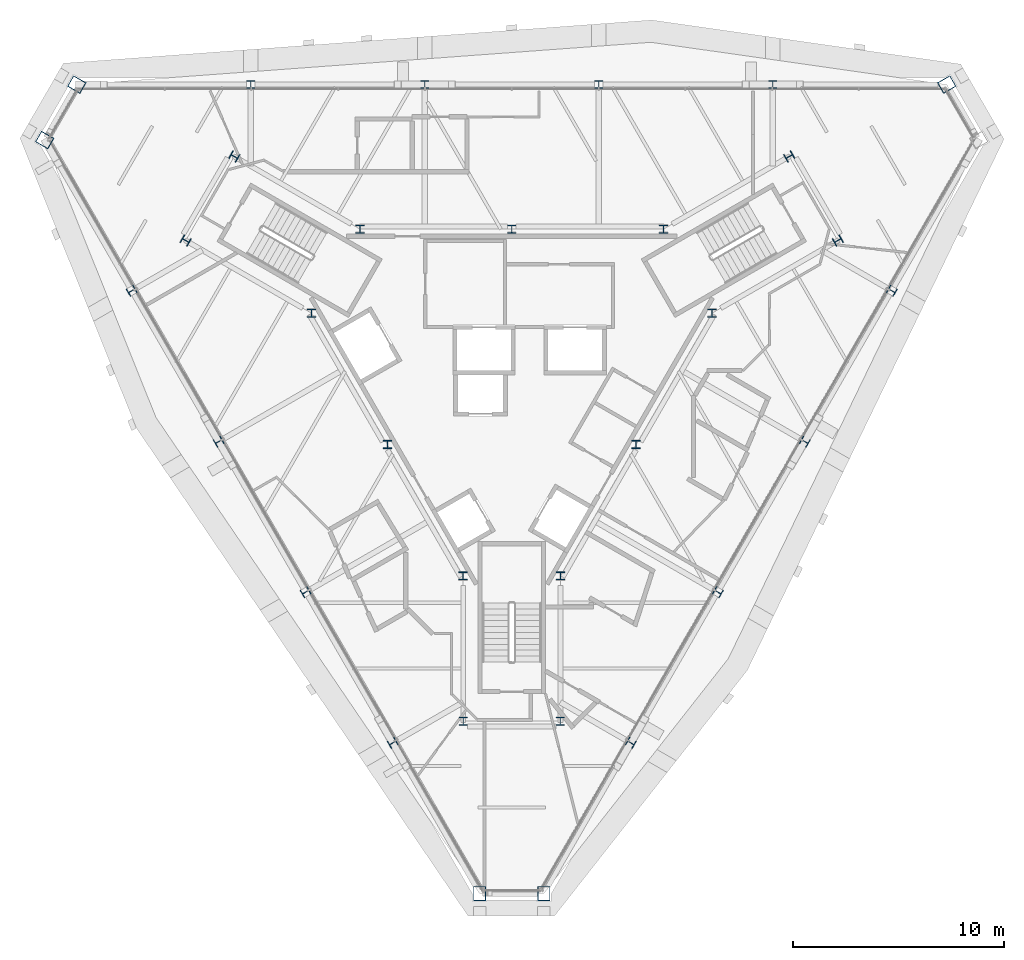
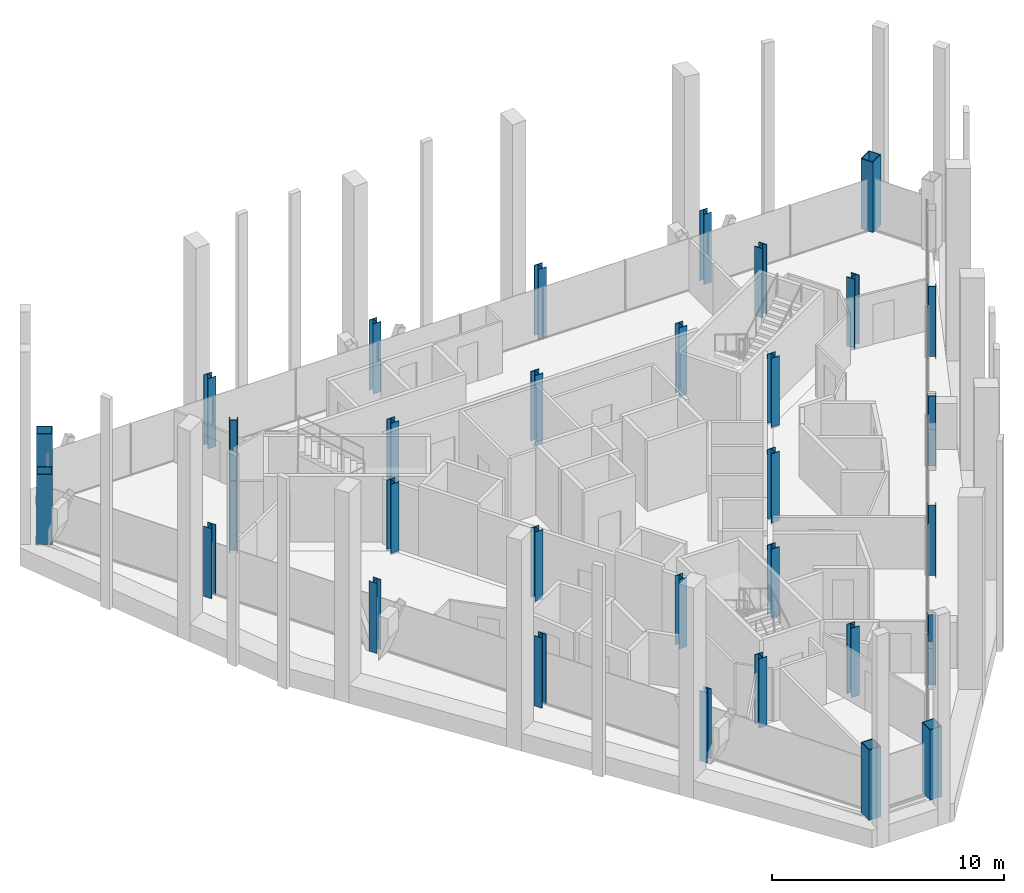
# One storey, part 1 of 12: 32 columns.
"""IFC4 building model written with IfcOpenShell, lengths in metres."""

from ifc_helpers import new_model, si_unit, direction, frame, origin, origin_2d, place, context, subcontext, project, spatial, hollow_rectangle, i_section, extrude, material, material_profile, profile_set, type_object, element, save


model = new_model("IFC4")

# Units and contexts
model_context = context("Model", 3, precision=1e-05, world=origin(), true_north=direction((0.0, 1.0)))
body_context = subcontext(model_context, "Body", "Model", "MODEL_VIEW")
ifc_project = project(units=[si_unit("LENGTHUNIT", "METRE"), si_unit("AREAUNIT", "SQUARE_METRE"), si_unit("VOLUMEUNIT", "CUBIC_METRE"), si_unit("PLANEANGLEUNIT", "RADIAN"), si_unit("MASSUNIT", "GRAM", prefix="KILO")], contexts=[model_context])

# Site, building, storey
site_placement = place(None, origin())
site = spatial("IfcSite", under=ifc_project, at=site_placement, CompositionType="ELEMENT")
building_placement = place(site_placement, origin())
building = spatial("IfcBuilding", under=site, at=building_placement, Name="Verrane Prism Tower", CompositionType="ELEMENT")
storey_placement = place(building_placement, frame((0.0, 0.0, 264.0)))
storey = spatial("IfcBuildingStorey", under=building, at=storey_placement, Name="L66", CompositionType="ELEMENT", Elevation=264.0)

# Columns
ifc_material_1 = material(Name="Steel A992", Category="steel")
ifc_material_profile_1 = material_profile(ifc_material_1, i_section(OverallWidth=0.4013671875, OverallDepth=0.398681640625, WebThickness=0.02490234375, FlangeThickness=0.03955078125, FilletRadius=0.01513671875, at=origin_2d()), Name="W14x211")
ifc_profile_set_1 = profile_set([ifc_material_profile_1], Name="Steel A992")
column_type_1 = type_object("IfcColumnType", Name="Core corner column W14x211", PredefinedType="COLUMN", material=ifc_profile_set_1)
for number, where, z_axis, x_axis, name in (
    (1, (15.43994140625, 6.260009765625, 0.050048828125), (0.0, 0.0, 1.0), (0.5, -0.866025403784, 0.0), "Core corner column CK-NEm L66"),
    (2, (13.139892578125, 10.239990234375, 0.050048828125), (0.0, 0.0, 1.0), (0.5, -0.866025403784, 0.0), "Core corner column CK-NEp L66"),
    (3, (-13.139892578125, 10.239990234375, 0.050048828125), (0.0, 0.0, 1.0), (0.5, 0.866025403784, 0.0), "Core corner column CK-NWm L66"),
    (4, (-15.43994140625, 6.260009765625, 0.050048828125), (0.0, 0.0, 1.0), (0.5, 0.866025403784, 0.0), "Core corner column CK-NWp L66"),
    (5, (-2.300048828125, -16.5, 0.050048828125), (0.0, 0.0, 1.0), (-1.0, 0.0, 0.0), "Core corner column CK-Sm L66"),
    (6, (2.300048828125, -16.5, 0.050048828125), (0.0, 0.0, 1.0), (-1.0, 0.0, 0.0), "Core corner column CK-Sp L66"),
):
    element("IfcColumn", number, at=place(storey_placement, frame(where, z_axis=z_axis, x_axis=x_axis)), inside=storey, type_object=column_type_1, Name=name, PredefinedType="COLUMN", context=body_context, shape_type="SweptSolid", body=[
        extrude(i_section(OverallWidth=0.4013671875, OverallDepth=0.398681640625, WebThickness=0.02490234375, FlangeThickness=0.03955078125, FilletRadius=0.01513671875, at=origin_2d()), origin(), (0.0, 0.0, 1.0), 3.64990234375),
    ])
ifc_material_2 = material(Name="Steel A992", Category="steel")
ifc_material_profile_2 = material_profile(ifc_material_2, i_section(OverallWidth=0.398681640625, OverallDepth=0.385986328125, WebThickness=0.02099609375, FlangeThickness=0.033203125, FilletRadius=0.01513671875, at=origin_2d()), Name="W14x176")
ifc_profile_set_2 = profile_set([ifc_material_profile_2], Name="Steel A992")
column_type_2 = type_object("IfcColumnType", Name="Core side column W14x176", PredefinedType="COLUMN", material=ifc_profile_set_2)
for number, where, z_axis, x_axis, name in (
    (7, (9.47998046875, 2.820068359375, 0.06494140625), (0.0, 0.0, 1.0), (1.0, 0.0, 0.0), "Core side column CC-NEm L66"),
    (8, (7.179931640625, 6.800048828125, 0.06494140625), (0.0, 0.0, 1.0), (1.0, 0.0, 0.0), "Core side column CC-NEp L66"),
):
    element("IfcColumn", number, at=place(storey_placement, frame(where, z_axis=z_axis, x_axis=x_axis)), inside=storey, type_object=column_type_2, Name=name, PredefinedType="COLUMN", context=body_context, shape_type="SweptSolid", body=[
        extrude(i_section(OverallWidth=0.398681640625, OverallDepth=0.385986328125, WebThickness=0.02099609375, FlangeThickness=0.033203125, FilletRadius=0.01513671875, at=origin_2d()), origin(), (0.0, 0.0, 1.0), 3.635009765625),
    ])
column_1_placement = place(storey_placement, frame((0.0, 6.800048828125, 0.030029296875), z_axis=(0.0, 0.0, 1.0), x_axis=(1.0, 0.0, 0.0)))
element("IfcColumn", 9, at=column_1_placement, inside=storey, type_object=column_type_2, Name="Core side column CC-N0 L66", PredefinedType="COLUMN", context=body_context, shape_type="SweptSolid", body=[
    extrude(i_section(OverallWidth=0.398681640625, OverallDepth=0.385986328125, WebThickness=0.02099609375, FlangeThickness=0.033203125, FilletRadius=0.01513671875, at=origin_2d()), origin(), (0.0, 0.0, 1.0), 3.669921875),
])
for number, where, z_axis, x_axis, name in (
    (10, (-7.179931640625, 6.800048828125, 0.06494140625), (0.0, 0.0, 1.0), (1.0, 0.0, 0.0), "Core side column CC-NWm L66"),
    (11, (-9.47998046875, 2.820068359375, 0.06494140625), (0.0, 0.0, 1.0), (1.0, 0.0, 0.0), "Core side column CC-NWp L66"),
):
    element("IfcColumn", number, at=place(storey_placement, frame(where, z_axis=z_axis, x_axis=x_axis)), inside=storey, type_object=column_type_2, Name=name, PredefinedType="COLUMN", context=body_context, shape_type="SweptSolid", body=[
        extrude(i_section(OverallWidth=0.398681640625, OverallDepth=0.385986328125, WebThickness=0.02099609375, FlangeThickness=0.033203125, FilletRadius=0.01513671875, at=origin_2d()), origin(), (0.0, 0.0, 1.0), 3.635009765625),
    ])
column_2_placement = place(storey_placement, frame((-5.889892578125, -3.39990234375, 0.0400390625), z_axis=(0.0, 0.0, 1.0), x_axis=(1.0, 0.0, 0.0)))
element("IfcColumn", 12, at=column_2_placement, inside=storey, type_object=column_type_2, Name="Core side column CC-SW0 L66", PredefinedType="COLUMN", context=body_context, shape_type="SweptSolid", body=[
    extrude(i_section(OverallWidth=0.398681640625, OverallDepth=0.385986328125, WebThickness=0.02099609375, FlangeThickness=0.033203125, FilletRadius=0.01513671875, at=origin_2d()), origin(), (0.0, 0.0, 1.0), 3.659912109375),
])
for number, where, z_axis, x_axis, name in (
    (13, (-2.300048828125, -9.6201171875, 0.050048828125), (0.0, 0.0, 1.0), (1.0, 0.0, 0.0), "Core side column CC-Sm L66"),
    (14, (2.300048828125, -9.6201171875, 0.050048828125), (0.0, 0.0, 1.0), (1.0, 0.0, 0.0), "Core side column CC-Sp L66"),
):
    element("IfcColumn", number, at=place(storey_placement, frame(where, z_axis=z_axis, x_axis=x_axis)), inside=storey, type_object=column_type_2, Name=name, PredefinedType="COLUMN", context=body_context, shape_type="SweptSolid", body=[
        extrude(i_section(OverallWidth=0.398681640625, OverallDepth=0.385986328125, WebThickness=0.02099609375, FlangeThickness=0.033203125, FilletRadius=0.01513671875, at=origin_2d()), origin(), (0.0, 0.0, 1.0), 3.64990234375),
    ])
column_3_placement = place(storey_placement, frame((5.889892578125, -3.39990234375, 0.0400390625), z_axis=(0.0, 0.0, 1.0), x_axis=(1.0, 0.0, 0.0)))
element("IfcColumn", 15, at=column_3_placement, inside=storey, type_object=column_type_2, Name="Core side column CC-SE0 L66", PredefinedType="COLUMN", context=body_context, shape_type="SweptSolid", body=[
    extrude(i_section(OverallWidth=0.398681640625, OverallDepth=0.385986328125, WebThickness=0.02099609375, FlangeThickness=0.033203125, FilletRadius=0.01513671875, at=origin_2d()), origin(), (0.0, 0.0, 1.0), 3.659912109375),
])
ifc_material_3 = material(Name="Steel A572 Grade 50", Category="steel")
ifc_material_profile_3 = material_profile(ifc_material_3, hollow_rectangle(XDim=0.60009765625, YDim=0.699951171875, WallThickness=0.0400390625, at=origin_2d()), Name="BOX 700x600x40")
ifc_profile_set_3 = profile_set([ifc_material_profile_3], Name="Steel A572 Grade 50")
column_type_3 = type_object("IfcColumnType", Name="Megacolumn BOX 700x600x40", PredefinedType="COLUMN", material=ifc_profile_set_3)
for number, where, z_axis, x_axis, name in (
    (16, (20.60009765625, 13.64990234375, 0.0), (0.0, 0.0, 1.0), (0.5, -0.866025403784, 0.0), "Megacolumn MC-NE.b L66"),
    (17, (-20.60009765625, 13.64990234375, 0.0), (0.0, 0.0, 1.0), (0.5, 0.866025403784, 0.0), "Megacolumn MC-NW.a L66"),
    (18, (-22.1201171875, 11.02001953125, 0.0), (0.0, 0.0, 1.0), (0.5, 0.866025403784, 0.0), "Megacolumn MC-NW.b L66"),
    (19, (-1.52001953125, -24.669921875, 0.0), (0.0, 0.0, 1.0), (-1.0, 0.0, 0.0), "Megacolumn MC-S.a L66"),
    (20, (1.52001953125, -24.669921875, 0.0), (0.0, 0.0, 1.0), (-1.0, 0.0, 0.0), "Megacolumn MC-S.b L66"),
):
    element("IfcColumn", number, at=place(storey_placement, frame(where, z_axis=z_axis, x_axis=x_axis)), inside=storey, type_object=column_type_3, Name=name, PredefinedType="COLUMN", context=body_context, shape_type="SweptSolid", body=[
        extrude(hollow_rectangle(XDim=0.60009765625, YDim=0.699951171875, WallThickness=0.0400390625, at=origin_2d()), origin(), (0.0, 0.0, 1.0), 3.699951171875),
    ])
ifc_material_4 = material(Name="Steel A992", Category="steel")
ifc_material_profile_4 = material_profile(ifc_material_4, i_section(OverallWidth=0.393798828125, OverallDepth=0.3759765625, WebThickness=0.017333984375, FlangeThickness=0.027587890625, FilletRadius=0.01513671875, at=origin_2d()), Name="W14x145")
ifc_profile_set_4 = profile_set([ifc_material_profile_4], Name="Steel A992")
column_type_4 = type_object("IfcColumnType", Name="Perimeter column W14x145", PredefinedType="COLUMN", material=ifc_profile_set_4)
for number, where, z_axis, x_axis, name in (
    (21, (12.360107421875, 13.64990234375, 0.0), (0.0, 0.0, 1.0), (1.0, 0.0, 0.0), "Perimeter column PC-N1 L66"),
    (22, (4.1201171875, 13.64990234375, 0.0), (0.0, 0.0, 1.0), (1.0, 0.0, 0.0), "Perimeter column PC-N2 L66"),
    (23, (-4.1201171875, 13.64990234375, 0.0), (0.0, 0.0, 1.0), (1.0, 0.0, 0.0), "Perimeter column PC-N3 L66"),
    (24, (-12.360107421875, 13.64990234375, 0.0), (0.0, 0.0, 1.0), (1.0, 0.0, 0.0), "Perimeter column PC-N4 L66"),
    (25, (-18.0, 3.8798828125, 0.0), (0.0, 0.0, 1.0), (-0.5, 0.866025403784, 0.0), "Perimeter column PC-SW1 L66"),
    (26, (-13.8798828125, -3.260009765625, 0.0), (0.0, 0.0, 1.0), (-0.5, 0.866025403784, 0.0), "Perimeter column PC-SW2 L66"),
    (27, (-9.760009765625, -10.389892578125, 0.0), (0.0, 0.0, 1.0), (-0.5, 0.866025403784, 0.0), "Perimeter column PC-SW3 L66"),
    (28, (-5.639892578125, -17.530029296875, 0.0), (0.0, 0.0, 1.0), (-0.5, 0.866025403784, 0.0), "Perimeter column PC-SW4 L66"),
    (29, (5.639892578125, -17.530029296875, 0.0), (0.0, 0.0, 1.0), (-0.5, -0.866025403784, 0.0), "Perimeter column PC-SE1 L66"),
    (30, (9.760009765625, -10.389892578125, 0.0), (0.0, 0.0, 1.0), (-0.5, -0.866025403784, 0.0), "Perimeter column PC-SE2 L66"),
    (31, (13.8798828125, -3.260009765625, 0.0), (0.0, 0.0, 1.0), (-0.5, -0.866025403784, 0.0), "Perimeter column PC-SE3 L66"),
    (32, (18.0, 3.8798828125, 0.0), (0.0, 0.0, 1.0), (-0.5, -0.866025403784, 0.0), "Perimeter column PC-SE4 L66"),
):
    element("IfcColumn", number, at=place(storey_placement, frame(where, z_axis=z_axis, x_axis=x_axis)), inside=storey, type_object=column_type_4, Name=name, PredefinedType="COLUMN", context=body_context, shape_type="SweptSolid", body=[
        extrude(i_section(OverallWidth=0.393798828125, OverallDepth=0.3759765625, WebThickness=0.017333984375, FlangeThickness=0.027587890625, FilletRadius=0.01513671875, at=origin_2d()), origin(), (0.0, 0.0, 1.0), 3.699951171875),
    ])

save(model, "model.ifc")
